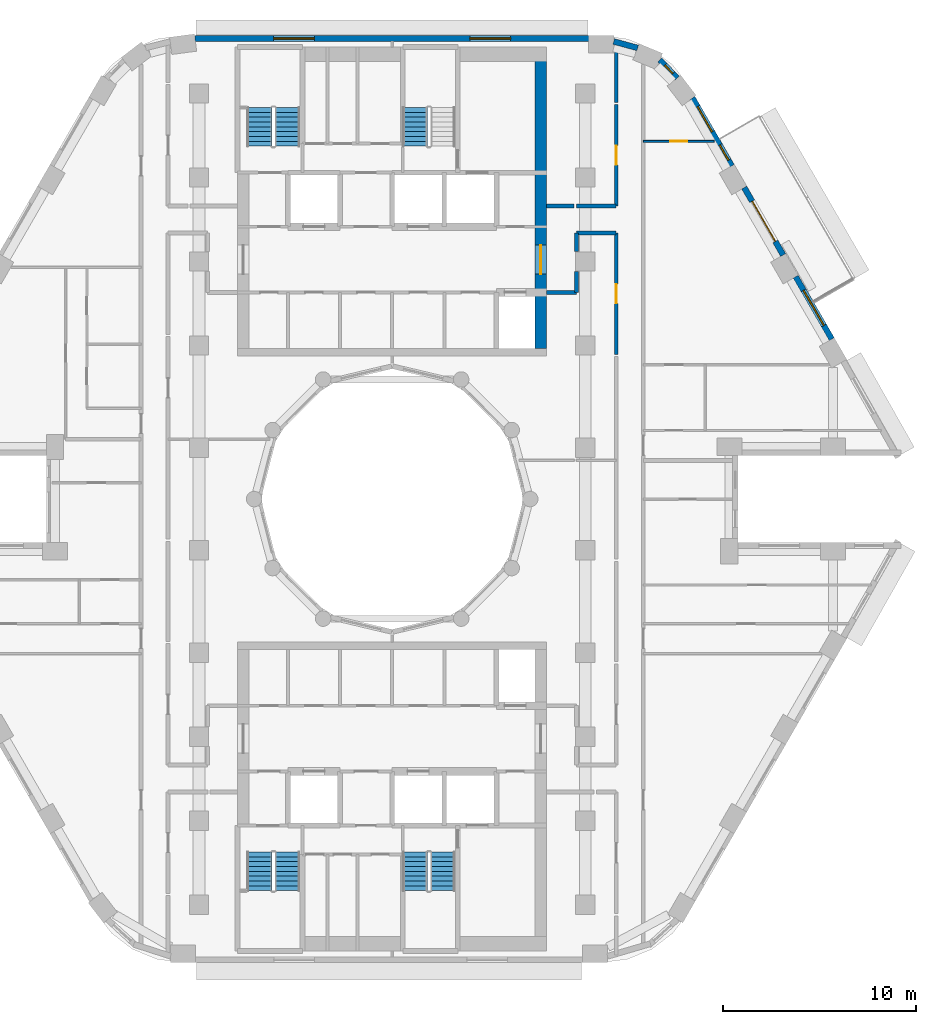
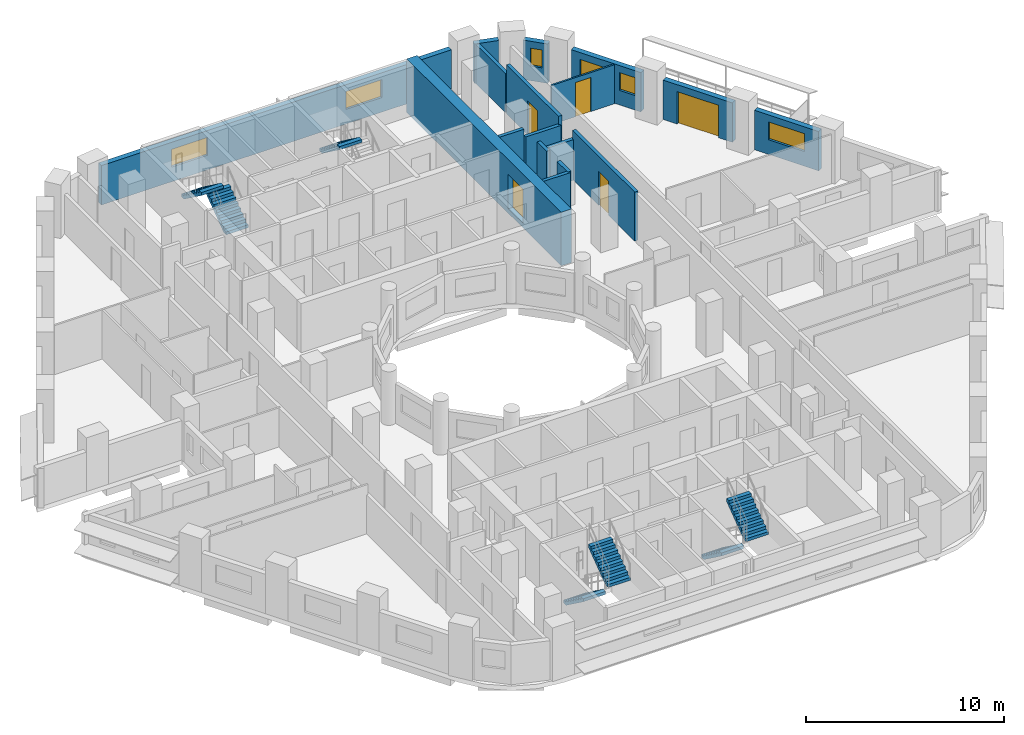
# One storey, part 9 of 14: 17 walls, 7 stair flights, 6 windows, 5 doors, 11 openings, 4 elements without a shape of their own.
"""IFC4 building model written with IfcOpenShell, lengths in metres."""

import ifcopenshell
import ifcopenshell.guid

model = None  # the IFC model being written
_history = None  # IfcOwnerHistory: only IFC2X3 demands one
_inside = {}  # id of a spatial element -> (the spatial element, [elements in it])
_under = {}  # id of a project, library or spatial element -> (it, [spatial elements below it])
_declared = {}  # id of a project -> (the project, [libraries it declares])
_typed = {}  # id of a type object -> (the type object, [elements of that type])
_made_of = {}  # id of a material, layer set ... -> (it, [elements and type objects made of it])


def new_model(schema):
    """Start an empty IFC model of exactly this schema.

    Asked for "IFC4X3", IfcOpenShell would pick the latest addendum, in which some entities
    have other attributes; the version numbers below select the first issue.
    IFC2X3 requires an IfcOwnerHistory on every rooted entity: one is made here for all.
    """
    global model, _history
    if schema == "IFC4X3":
        model = ifcopenshell.file(schema_version=(4, 3, 0, 0))
    else:
        model = ifcopenshell.file(schema=schema)
    _inside.clear()
    _under.clear()
    _declared.clear()
    _typed.clear()
    _made_of.clear()
    _history = None
    if model.schema == "IFC2X3":
        org = make("IfcOrganization", Name="unknown")
        user = make(
            "IfcPersonAndOrganization",
            ThePerson=make("IfcPerson", FamilyName="unknown"),
            TheOrganization=org,
        )
        app = make(
            "IfcApplication",
            ApplicationDeveloper=org,
            Version="unknown",
            ApplicationFullName="unknown",
            ApplicationIdentifier="unknown",
        )
        _history = make(
            "IfcOwnerHistory",
            OwningUser=user,
            OwningApplication=app,
            ChangeAction="ADDED",
            CreationDate=0,
        )
    return model


def make(cls, **values):
    """One entity of the class cls with the attributes given. An attribute that is None is left unset."""
    return model.create_entity(
        cls, **{name: value for name, value in values.items() if value is not None}
    )


def rooted(cls, **values):
    """An entity with a GlobalId (a new one), such as an element, a storey or a relation."""
    return make(cls, GlobalId=ifcopenshell.guid.new(), OwnerHistory=_history, **values)


def si_unit(unit_type, name, prefix=None):
    """IfcSIUnit, for example si_unit("LENGTHUNIT", "METRE", prefix="MILLI")."""
    return make("IfcSIUnit", UnitType=unit_type, Prefix=prefix, Name=name)


def assignment(units):
    """IfcUnitAssignment: the units of a project."""
    return None if units is None else make("IfcUnitAssignment", Units=units)


def point(xyz):
    """IfcCartesianPoint."""
    return None if xyz is None else make("IfcCartesianPoint", Coordinates=xyz)


def direction(xyz):
    """IfcDirection."""
    return None if xyz is None else make("IfcDirection", DirectionRatios=xyz)


def frame(location, z_axis=None, x_axis=None):
    """IfcAxis2Placement3D, a coordinate frame: its origin and axes. An axis left out is left unset."""
    return make(
        "IfcAxis2Placement3D",
        Location=point(location),
        Axis=direction(z_axis),
        RefDirection=direction(x_axis),
    )


def frame_2d(location, x_axis=None):
    """IfcAxis2Placement2D, a coordinate frame in the plane: its origin and x axis."""
    return make(
        "IfcAxis2Placement2D", Location=point(location), RefDirection=direction(x_axis)
    )


def origin():
    """The frame at (0, 0, 0) with its axes left unset."""
    return frame((0.0, 0.0, 0.0))


def place(relative_to, where):
    """IfcLocalPlacement: puts the frame where relative to a parent placement (None: the world)."""
    return make(
        "IfcLocalPlacement", PlacementRelTo=relative_to, RelativePlacement=where
    )


def context(
    kind, dimensions, precision=None, world=None, true_north=None, identifier=None
):
    """IfcGeometricRepresentationContext, for example the 3D "Model" context."""
    return make(
        "IfcGeometricRepresentationContext",
        ContextIdentifier=identifier,
        ContextType=kind,
        CoordinateSpaceDimension=dimensions,
        Precision=precision,
        WorldCoordinateSystem=world,
        TrueNorth=true_north,
    )


def subcontext(parent, identifier, kind, view, scale=None):
    """IfcGeometricRepresentationSubContext, for example "Body" below "Model"."""
    return make(
        "IfcGeometricRepresentationSubContext",
        ContextIdentifier=identifier,
        ContextType=kind,
        ParentContext=parent,
        TargetScale=scale,
        TargetView=view,
    )


def project(units=None, contexts=None):
    """IfcProject with its units and contexts."""
    return rooted(
        "IfcProject",
        Name="project",
        RepresentationContexts=contexts,
        UnitsInContext=assignment(units),
    )


def spatial(cls, under=None, at=None, **own):
    """A site, building, storey or space (cls), placed at a placement, below another one or the project."""
    s = rooted(cls, ObjectPlacement=at, **own)
    if under is not None:
        _under.setdefault(under.id(), (under, []))[1].append(s)
    return s


def polyline(points):
    """IfcPolyline through the points."""
    return make("IfcPolyline", Points=[point(p) for p in points])


def profile(cls, at=None, kind="AREA", **sizes):
    """A parametric profile (cls). Its sizes go by their IFC names, for example OverallWidth=200.0."""
    return make(cls, ProfileType=kind, Position=at, **sizes)


def rectangle(**sizes):
    """IfcRectangleProfileDef."""
    return profile("IfcRectangleProfileDef", **sizes)


def outline(outer, holes=None, kind="AREA"):
    """IfcArbitraryClosedProfileDef: a profile drawn as a closed curve; with holes, ...WithVoids."""
    if holes is None:
        return make("IfcArbitraryClosedProfileDef", ProfileType=kind, OuterCurve=outer)
    return make(
        "IfcArbitraryProfileDefWithVoids",
        ProfileType=kind,
        OuterCurve=outer,
        InnerCurves=holes,
    )


def extrude(swept, where, along, depth):
    """IfcExtrudedAreaSolid: the profile swept, set in the frame where, extruded along a direction by depth."""
    return make(
        "IfcExtrudedAreaSolid",
        SweptArea=swept,
        Position=where,
        ExtrudedDirection=direction(along),
        Depth=depth,
    )


def shape(context_of_items, identifier, shape_type, items):
    """IfcShapeRepresentation: the items that make up one representation, for example the "Body"."""
    return make(
        "IfcShapeRepresentation",
        ContextOfItems=context_of_items,
        RepresentationIdentifier=identifier,
        RepresentationType=shape_type,
        Items=items,
    )


def material(Name=None, Category=None):
    """IfcMaterial."""
    return make("IfcMaterial", Name=Name, Category=Category)


def layer(
    of_material, thickness, ventilated=None, Name=None, Category=None, Priority=None
):
    """IfcMaterialLayer: one layer of a wall or slab, of a material (None: an air gap)."""
    return make(
        "IfcMaterialLayer",
        Material=of_material,
        LayerThickness=thickness,
        IsVentilated=ventilated,
        Name=Name,
        Category=Category,
        Priority=Priority,
    )


def layer_set(layers, Name=None):
    """IfcMaterialLayerSet."""
    return make("IfcMaterialLayerSet", MaterialLayers=layers, LayerSetName=Name)


def made_of(thing, what):
    """Note that an element or type object is made of a material, layer set ...; save() writes the relation."""
    if what is not None:
        _made_of.setdefault(what.id(), (what, []))[1].append(thing)
    return thing


def type_object(cls, material=None, **own):
    """A type object (cls), such as IfcWallType, which elements share."""
    return made_of(rooted(cls, **own), material)


def element(
    cls,
    number,
    at=None,
    inside=None,
    cuts=None,
    type_object=None,
    material=None,
    context=None,
    identifier="Body",
    shape_type=None,
    held_by="IfcProductDefinitionShape",
    body=None,
    shapes=None,
    **own,
):
    """One element of the class cls, such as IfcWall. Its Tag is "e" and its number.

    at: its placement. inside: the storey or other place that contains it. cuts: it is an
    opening in that element (IfcRelVoidsElement). A single representation is given by context,
    identifier, shape_type and body (its items); several are given by shapes. held_by: the class
    of the entity that holds the representations. save() writes the other relations.
    """
    e = rooted(cls, Tag="e%d" % number, ObjectPlacement=at, **own)
    if body is not None:
        shapes = [shape(context, identifier, shape_type, body)]
    if shapes is not None:
        e.Representation = make(held_by, Representations=shapes)
    if inside is not None:
        _inside.setdefault(inside.id(), (inside, []))[1].append(e)
    if cuts is not None:
        rooted(
            "IfcRelVoidsElement", RelatingBuildingElement=cuts, RelatedOpeningElement=e
        )
    if type_object is not None:
        _typed.setdefault(type_object.id(), (type_object, []))[1].append(e)
    return made_of(e, material)


def fill(opening, filler):
    """IfcRelFillsElement: the door or window that sits in an opening."""
    return rooted(
        "IfcRelFillsElement",
        RelatingOpeningElement=opening,
        RelatedBuildingElement=filler,
    )


def aggregate(whole, parts):
    """IfcRelAggregates: a whole, such as a stair, and the parts it consists of."""
    return rooted("IfcRelAggregates", RelatingObject=whole, RelatedObjects=parts)


def save(model, path):
    """Write the relations noted so far, then the file.

    IfcRelAggregates (storeys below a building ...), IfcRelContainedInSpatialStructure (elements
    in a storey), IfcRelDefinesByType, IfcRelAssociatesMaterial and IfcRelDeclares: one each for
    every whole, place, type object, material and project.
    """
    for whole, parts in _under.values():
        aggregate(whole, parts)
    for where, things in _inside.values():
        rooted(
            "IfcRelContainedInSpatialStructure",
            RelatedElements=things,
            RelatingStructure=where,
        )
    for kind, things in _typed.values():
        rooted("IfcRelDefinesByType", RelatedObjects=things, RelatingType=kind)
    for what, things in _made_of.values():
        rooted("IfcRelAssociatesMaterial", RelatedObjects=things, RelatingMaterial=what)
    for by, libraries in _declared.values():
        rooted("IfcRelDeclares", RelatingContext=by, RelatedDefinitions=libraries)
    model.write(path)


model = new_model("IFC4")

# Units and contexts
model_context = context("Model", 3, precision=1e-05, world=origin(), true_north=direction((0.0, 1.0)))
body_context = subcontext(model_context, "Body", "Model", "MODEL_VIEW")
ifc_project = project(units=[si_unit("LENGTHUNIT", "METRE"), si_unit("AREAUNIT", "SQUARE_METRE"), si_unit("VOLUMEUNIT", "CUBIC_METRE"), si_unit("PLANEANGLEUNIT", "RADIAN"), si_unit("MASSUNIT", "GRAM", prefix="KILO")], contexts=[model_context])

# Site, building, storey
site_placement = place(None, origin())
site = spatial("IfcSite", under=ifc_project, at=site_placement, CompositionType="ELEMENT")
building_placement = place(site_placement, origin())
building = spatial("IfcBuilding", under=site, at=building_placement, Name="Nakaniwa Court", CompositionType="ELEMENT")
storey_placement = place(building_placement, frame((0.0, 0.0, 160.199951171875)))
storey = spatial("IfcBuildingStorey", under=building, at=storey_placement, Name="L42", CompositionType="ELEMENT", Elevation=160.199951171875)

# Wall, opening, door
ifc_material_1 = material(Name="Acoustic double stud partition")
ifc_layer_1 = layer(ifc_material_1, 0.199951171875)
ifc_layer_set_1 = layer_set([ifc_layer_1], Name="Acoustic double stud partition")
wall_type_1 = type_object("IfcWallType", Name="Acoustic double stud partition 200", PredefinedType="PARTITIONING", material=ifc_layer_set_1)
wall_1_placement = place(storey_placement, frame((91.60009765625, 87.4873046875, 0.0), z_axis=(0.0, 0.0, 1.0), x_axis=(0.0, 1.0, 0.0)))
wall_1 = element("IfcWall", 1, at=wall_1_placement, inside=storey, type_object=wall_type_1, Name="Partition PW-078", PredefinedType="PARTITIONING", context=body_context, shape_type="SweptSolid", body=[
    extrude(rectangle(XDim=6.28759765625, YDim=0.199951171875, at=frame_2d((3.143798828125, 0.0))), origin(), (0.0, 0.0, 1.0), 3.025146484375),
])
opening_1_placement = place(wall_1_placement, frame((2.64501953125, 0.0, 0.0)))
opening_1 = element("IfcOpeningElement", 2, at=opening_1_placement, cuts=wall_1, Name="Opening D-02-08", PredefinedType="OPENING", context=body_context, shape_type="SweptSolid", body=[
    extrude(rectangle(XDim=1.0, YDim=2.10009765625, at=frame_2d((0.5, 1.050048828125))), frame((0.0, 0.10986328125, 0.0), z_axis=(0.0, -1.0, 0.0), x_axis=(1.0, 0.0, 0.0)), (0.0, 0.0, 1.0), 0.219970703125),
])
ifc_material_2 = material(Name="Solid core timber door set, black veneer", Category="wood")
door_type_1 = type_object("IfcDoorType", Name="Internal door 1000", OperationType="NOTDEFINED", PredefinedType="DOOR", material=ifc_material_2)
door_1_placement = place(opening_1_placement, origin())
door_1 = element("IfcDoor", 3, at=door_1_placement, inside=storey, type_object=door_type_1, Name="Door D-02-08 L42-054", OperationType="SINGLE_SWING_LEFT", OverallHeight=2.10009765625, OverallWidth=1.0, PredefinedType="DOOR", context=body_context, shape_type="SweptSolid", body=[
    extrude(rectangle(XDim=1.0, YDim=2.10009765625, at=frame_2d((0.5, 1.050048828125))), frame((0.0, 0.02490234375, 0.0), z_axis=(0.0, -1.0, 0.0), x_axis=(1.0, 0.0, 0.0)), (0.0, 0.0, 1.0), 0.050048828125),
])
fill(opening_1, door_1)

wall_2_placement = place(storey_placement, frame((91.60009765625, 95.175048828125, 0.0), z_axis=(0.0, 0.0, 1.0), x_axis=(0.0, 1.0, 0.0)))
wall_2 = element("IfcWall", 4, at=wall_2_placement, inside=storey, type_object=wall_type_1, Name="Partition PW-079", PredefinedType="PARTITIONING", context=body_context, shape_type="SweptSolid", body=[
    extrude(rectangle(XDim=5.247802734375, YDim=0.199951171875, at=frame_2d((2.6240234375, 0.0))), origin(), (0.0, 0.0, 1.0), 3.025146484375),
])
opening_2_placement = place(wall_2_placement, frame((2.123046875, 0.0, 0.0)))
opening_2 = element("IfcOpeningElement", 5, at=opening_2_placement, cuts=wall_2, Name="Opening D-02-09", PredefinedType="OPENING", context=body_context, shape_type="SweptSolid", body=[
    extrude(rectangle(XDim=1.0, YDim=2.10009765625, at=frame_2d((0.5, 1.050048828125))), frame((0.0, 0.10986328125, 0.0), z_axis=(0.0, -1.0, 0.0), x_axis=(1.0, 0.0, 0.0)), (0.0, 0.0, 1.0), 0.219970703125),
])
door_2_placement = place(opening_2_placement, origin())
door_2 = element("IfcDoor", 6, at=door_2_placement, inside=storey, type_object=door_type_1, Name="Door D-02-09 L42-055", OperationType="SINGLE_SWING_RIGHT", OverallHeight=2.10009765625, OverallWidth=1.0, PredefinedType="DOOR", context=body_context, shape_type="SweptSolid", body=[
    extrude(rectangle(XDim=1.0, YDim=2.10009765625, at=frame_2d((0.5, 1.050048828125))), frame((0.0, 0.02490234375, 0.0), z_axis=(0.0, -1.0, 0.0), x_axis=(1.0, 0.0, 0.0)), (0.0, 0.0, 1.0), 0.050048828125),
])
fill(opening_2, door_2)

# Walls
wall_3_placement = place(storey_placement, frame((91.60009765625, 100.537109375, 0.0), z_axis=(0.0, 0.0, 1.0), x_axis=(0.0, 1.0, 0.0)))
element("IfcWall", 7, at=wall_3_placement, inside=storey, type_object=wall_type_1, Name="Partition PW-080", PredefinedType="PARTITIONING", context=body_context, shape_type="SweptSolid", body=[
    extrude(rectangle(XDim=3.06201171875, YDim=0.199951171875, at=frame_2d((1.531005859375, 0.0))), origin(), (0.0, 0.0, 1.0), 2.405029296875),
])
wall_4_placement = place(storey_placement, frame((89.550048828125, 90.699951171875, 0.0), z_axis=(0.0, 0.0, 1.0), x_axis=(0.0, 1.0, 0.0)))
element("IfcWall", 8, at=wall_4_placement, inside=storey, type_object=wall_type_1, Name="Partition PW-090", PredefinedType="PARTITIONING", context=body_context, shape_type="SweptSolid", body=[
    extrude(rectangle(XDim=1.082763671875, YDim=0.199951171875, at=frame_2d((0.54150390625, 0.0))), origin(), (0.0, 0.0, 1.0), 3.025146484375),
])
wall_5_placement = place(storey_placement, frame((89.550048828125, 92.817138671875, 0.0), z_axis=(0.0, 0.0, 1.0), x_axis=(0.0, 1.0, 0.0)))
element("IfcWall", 9, at=wall_5_placement, inside=storey, type_object=wall_type_1, Name="Partition PW-091", PredefinedType="PARTITIONING", context=body_context, shape_type="SweptSolid", body=[
    extrude(rectangle(XDim=0.957763671875, YDim=0.199951171875, at=frame_2d((0.47900390625, 0.0))), origin(), (0.0, 0.0, 1.0), 3.025146484375),
])
wall_6_placement = place(storey_placement, frame((89.550048828125, 93.77490234375, 0.0), z_axis=(0.0, 0.0, 1.0), x_axis=(1.0, 0.0, 0.0)))
element("IfcWall", 10, at=wall_6_placement, inside=storey, type_object=wall_type_1, Name="Partition PW-095", PredefinedType="PARTITIONING", context=body_context, shape_type="SweptSolid", body=[
    extrude(rectangle(XDim=2.050048828125, YDim=0.199951171875, at=frame_2d((1.02490234375, 0.0))), origin(), (0.0, 0.0, 1.0), 2.505126953125),
])
wall_7_placement = place(storey_placement, frame((88.0, 90.699951171875, 0.0), z_axis=(0.0, 0.0, 1.0), x_axis=(1.0, 0.0, 0.0)))
element("IfcWall", 11, at=wall_7_placement, inside=storey, type_object=wall_type_1, Name="Partition PW-097", PredefinedType="PARTITIONING", context=body_context, shape_type="SweptSolid", body=[
    extrude(rectangle(XDim=1.550048828125, YDim=0.199951171875, at=frame_2d((0.77490234375, 0.0))), origin(), (0.0, 0.0, 1.0), 3.025146484375),
])
wall_8_placement = place(storey_placement, frame((88.0, 95.175048828125, 0.0), z_axis=(0.0, 0.0, 1.0), x_axis=(1.0, 0.0, 0.0)))
element("IfcWall", 12, at=wall_8_placement, inside=storey, type_object=wall_type_1, Name="Partition PW-100", PredefinedType="PARTITIONING", context=body_context, shape_type="SweptSolid", body=[
    extrude(rectangle(XDim=1.4228515625, YDim=0.199951171875, at=frame_2d((0.71142578125, 0.0))), origin(), (0.0, 0.0, 1.0), 3.025146484375),
])
wall_9_placement = place(storey_placement, frame((89.537109375, 95.175048828125, 0.0), z_axis=(0.0, 0.0, 1.0), x_axis=(1.0, 0.0, 0.0)))
element("IfcWall", 13, at=wall_9_placement, inside=storey, type_object=wall_type_1, Name="Partition PW-101", PredefinedType="PARTITIONING", context=body_context, shape_type="SweptSolid", body=[
    extrude(rectangle(XDim=2.06298828125, YDim=0.199951171875, at=frame_2d((1.031494140625, 0.0))), origin(), (0.0, 0.0, 1.0), 2.505126953125),
])

# Wall, opening, window
ifc_material_3 = material(Name="Charcoal ceramic cladding")
ifc_layer_2 = layer(ifc_material_3, 0.02, Name="Ceramic cladding")
ifc_material_4 = material(Name="Ventilated air cavity")
ifc_layer_3 = layer(ifc_material_4, 0.04, ventilated=True, Name="Ventilated cavity")
ifc_material_5 = material(Name="Mineral wool insulation")
ifc_layer_4 = layer(ifc_material_5, 0.1, Name="Insulation")
ifc_material_6 = material(Name="Cement bonded sheathing board")
ifc_layer_5 = layer(ifc_material_6, 0.012, Name="Sheathing")
ifc_material_7 = material(Name="Cold-formed galvanised stud frame with mineral wool infill")
ifc_layer_6 = layer(ifc_material_7, 0.1, Name="Stud frame")
ifc_material_8 = material(Name="Fire-rated gypsum plasterboard lining")
ifc_layer_7 = layer(ifc_material_8, 0.028, Name="Lining")
ifc_layer_set_2 = layer_set([ifc_layer_2, ifc_layer_3, ifc_layer_4, ifc_layer_5, ifc_layer_6, ifc_layer_7], Name="Charcoal ceramic faced external wall system")
wall_type_2 = type_object("IfcWallType", Name="Black ceramic faced external wall 300", PredefinedType="SOLIDWALL", material=ifc_layer_set_2)
wall_10_placement = place(storey_placement, frame((102.759521484375, 88.279052734375, 0.0), z_axis=(0.0, 0.0, 1.0), x_axis=(-0.499933594891, 0.866063739398, 0.0)))
wall_10 = element("IfcWall", 14, at=wall_10_placement, inside=storey, type_object=wall_type_2, Name="L42 external wall 03", PredefinedType="SOLIDWALL", context=body_context, shape_type="SweptSolid", body=[
    extrude(rectangle(XDim=3.73681640625, YDim=0.300048828125, at=frame_2d((1.868408203125, 0.0))), origin(), (0.0, 0.0, 1.0), 2.425048828125),
])
opening_3_placement = place(wall_10_placement, frame((0.818359375, 0.0, 0.89990234375)))
opening_3 = element("IfcOpeningElement", 15, at=opening_3_placement, cuts=wall_10, Name="Opening W7.02", PredefinedType="OPENING", context=body_context, shape_type="SweptSolid", body=[
    extrude(rectangle(XDim=2.10009765625, YDim=1.10009765625, at=frame_2d((1.050048828125, 0.550048828125))), frame((0.0, 0.159912109375, 0.0), z_axis=(0.0, -1.0, 0.0), x_axis=(1.0, 0.0, 0.0)), (0.0, 0.0, 1.0), 0.320068359375),
])
ifc_material_9 = material(Name="Black anodised aluminium frame with dark low-E laminated double glazing", Category="aluminium")
window_type_1 = type_object("IfcWindowType", Name="Dark glass window 2100x1100 sill 900", PartitioningType="SINGLE_PANEL", PredefinedType="WINDOW", material=ifc_material_9)
window_1_placement = place(opening_3_placement, origin())
window_1 = element("IfcWindow", 16, at=window_1_placement, inside=storey, type_object=window_type_1, Name="L42 living window 03-0", OverallHeight=1.10009765625, OverallWidth=2.10009765625, PartitioningType="SINGLE_PANEL", PredefinedType="WINDOW", context=body_context, shape_type="SweptSolid", body=[
    extrude(rectangle(XDim=2.10009765625, YDim=1.10009765625, at=frame_2d((1.050048828125, 0.550048828125))), frame((0.0, 0.030029296875, 0.0), z_axis=(0.0, -1.0, 0.0), x_axis=(1.0, 0.0, 0.0)), (0.0, 0.0, 1.0), 0.06005859375),
])
fill(opening_3, window_1)

# Wall, opening, door
wall_11_placement = place(storey_placement, frame((100.245361328125, 92.63427734375, 0.0), z_axis=(0.0, 0.0, 1.0), x_axis=(-0.500031546601, 0.86600718958, 0.0)))
wall_11 = element("IfcWall", 17, at=wall_11_placement, inside=storey, type_object=wall_type_2, Name="L42 external wall 04", PredefinedType="SOLIDWALL", context=body_context, shape_type="SweptSolid", body=[
    extrude(rectangle(XDim=4.033935546875, YDim=0.300048828125, at=frame_2d((2.01708984375, 0.0))), origin(), (0.0, 0.0, 1.0), 2.425048828125),
])
opening_4_placement = place(wall_11_placement, frame((0.81689453125, 0.0, 0.0)))
opening_4 = element("IfcOpeningElement", 18, at=opening_4_placement, cuts=wall_11, Name="Opening XD13.01", PredefinedType="OPENING", context=body_context, shape_type="SweptSolid", body=[
    extrude(rectangle(XDim=2.39990234375, YDim=2.0, at=frame_2d((1.199951171875, 1.0))), frame((0.0, 0.159912109375, 0.0), z_axis=(0.0, -1.0, 0.0), x_axis=(1.0, 0.0, 0.0)), (0.0, 0.0, 1.0), 0.320068359375),
])
ifc_material_10 = material(Name="Black powder-coated aluminium frame with dark laminated glass", Category="aluminium")
door_type_2 = type_object("IfcDoorType", Name="Balcony sliding door 2400x2000", OperationType="DOUBLE_DOOR_SLIDING", PredefinedType="DOOR", material=ifc_material_10)
door_3_placement = place(opening_4_placement, origin())
door_3 = element("IfcDoor", 19, at=door_3_placement, inside=storey, type_object=door_type_2, Name="L42 balcony sliding door 01", OperationType="DOUBLE_DOOR_SLIDING", OverallHeight=2.0, OverallWidth=2.39990234375, PredefinedType="DOOR", context=body_context, shape_type="SweptSolid", body=[
    extrude(rectangle(XDim=2.39990234375, YDim=2.0, at=frame_2d((1.199951171875, 1.0))), frame((0.0, 0.02490234375, 0.0), z_axis=(0.0, -1.0, 0.0), x_axis=(1.0, 0.0, 0.0)), (0.0, 0.0, 1.0), 0.050048828125),
])
fill(opening_4, door_3)

# Wall, openings, windows
wall_12_placement = place(storey_placement, frame((97.582275390625, 97.24658203125, 0.0), z_axis=(0.0, 0.0, 1.0), x_axis=(-0.500018589245, 0.866014671013, 0.0)))
wall_12 = element("IfcWall", 20, at=wall_12_placement, inside=storey, type_object=wall_type_2, Name="L42 external wall 05", PredefinedType="SOLIDWALL", context=body_context, shape_type="SweptSolid", body=[
    extrude(rectangle(XDim=4.067626953125, YDim=0.300048828125, at=frame_2d((2.03369140625, 0.0))), origin(), (0.0, 0.0, 1.0), 2.425048828125),
])
opening_5_placement = place(wall_12_placement, frame((0.346435546875, 0.0, 0.89990234375)))
opening_5 = element("IfcOpeningElement", 21, at=opening_5_placement, cuts=wall_12, Name="Opening W9.03", PredefinedType="OPENING", context=body_context, shape_type="SweptSolid", body=[
    extrude(rectangle(XDim=0.89990234375, YDim=1.10009765625, at=frame_2d((0.449951171875, 0.550048828125))), frame((0.0, 0.159912109375, 0.0), z_axis=(0.0, -1.0, 0.0), x_axis=(1.0, 0.0, 0.0)), (0.0, 0.0, 1.0), 0.320068359375),
])
opening_6_placement = place(wall_12_placement, frame((2.045166015625, 0.0, 0.89990234375)))
opening_6 = element("IfcOpeningElement", 22, at=opening_6_placement, cuts=wall_12, Name="Opening W5.04", PredefinedType="OPENING", context=body_context, shape_type="SweptSolid", body=[
    extrude(rectangle(XDim=1.5, YDim=1.10009765625, at=frame_2d((0.75, 0.550048828125))), frame((0.0, 0.159912109375, 0.0), z_axis=(0.0, -1.0, 0.0), x_axis=(1.0, 0.0, 0.0)), (0.0, 0.0, 1.0), 0.320068359375),
])
window_type_2 = type_object("IfcWindowType", Name="Dark glass window 1500x1100 sill 900", PartitioningType="SINGLE_PANEL", PredefinedType="WINDOW", material=ifc_material_9)
window_2_placement = place(opening_6_placement, origin())
window_2 = element("IfcWindow", 23, at=window_2_placement, inside=storey, type_object=window_type_2, Name="L42 habitable room window 05-1", OverallHeight=1.10009765625, OverallWidth=1.5, PartitioningType="SINGLE_PANEL", PredefinedType="WINDOW", context=body_context, shape_type="SweptSolid", body=[
    extrude(rectangle(XDim=1.5, YDim=1.10009765625, at=frame_2d((0.75, 0.550048828125))), frame((0.0, 0.030029296875, 0.0), z_axis=(0.0, -1.0, 0.0), x_axis=(1.0, 0.0, 0.0)), (0.0, 0.0, 1.0), 0.06005859375),
])
fill(opening_6, window_2)
window_type_3 = type_object("IfcWindowType", Name="Dark glass window 900x1100 sill 900", PartitioningType="SINGLE_PANEL", PredefinedType="WINDOW", material=ifc_material_9)
window_3_placement = place(opening_5_placement, origin())
window_3 = element("IfcWindow", 24, at=window_3_placement, inside=storey, type_object=window_type_3, Name="L42 living window 05-0", OverallHeight=1.10009765625, OverallWidth=0.89990234375, PartitioningType="SINGLE_PANEL", PredefinedType="WINDOW", context=body_context, shape_type="SweptSolid", body=[
    extrude(rectangle(XDim=0.89990234375, YDim=1.10009765625, at=frame_2d((0.449951171875, 0.550048828125))), frame((0.0, 0.030029296875, 0.0), z_axis=(0.0, -1.0, 0.0), x_axis=(1.0, 0.0, 0.0)), (0.0, 0.0, 1.0), 0.06005859375),
])
fill(opening_5, window_3)

# Wall, opening, window
wall_13_placement = place(storey_placement, frame((94.76318359375, 101.79541015625, 0.0), z_axis=(0.0, 0.0, 1.0), x_axis=(-0.697598997785, 0.716488407645, 0.0)))
wall_13 = element("IfcWall", 25, at=wall_13_placement, inside=storey, type_object=wall_type_2, Name="L42 external wall 06", PredefinedType="SOLIDWALL", context=body_context, shape_type="SweptSolid", body=[
    extrude(rectangle(XDim=1.305419921875, YDim=0.300048828125, at=frame_2d((0.65283203125, 0.0))), origin(), (0.0, 0.0, 1.0), 2.425048828125),
])
opening_7_placement = place(wall_13_placement, frame((0.328369140625, 0.0, 0.89990234375)))
opening_7 = element("IfcOpeningElement", 26, at=opening_7_placement, cuts=wall_13, Name="Opening W8.05", PredefinedType="OPENING", context=body_context, shape_type="SweptSolid", body=[
    extrude(rectangle(XDim=0.60009765625, YDim=1.10009765625, at=frame_2d((0.300048828125, 0.550048828125))), frame((0.0, 0.159912109375, 0.0), z_axis=(0.0, -1.0, 0.0), x_axis=(1.0, 0.0, 0.0)), (0.0, 0.0, 1.0), 0.320068359375),
])
window_type_4 = type_object("IfcWindowType", Name="Dark glass window 600x1100 sill 900", PartitioningType="SINGLE_PANEL", PredefinedType="WINDOW", material=ifc_material_9)
window_4_placement = place(opening_7_placement, origin())
window_4 = element("IfcWindow", 27, at=window_4_placement, inside=storey, type_object=window_type_4, Name="L42 habitable room window 06-0", OverallHeight=1.10009765625, OverallWidth=0.60009765625, PartitioningType="SINGLE_PANEL", PredefinedType="WINDOW", context=body_context, shape_type="SweptSolid", body=[
    extrude(rectangle(XDim=0.60009765625, YDim=1.10009765625, at=frame_2d((0.300048828125, 0.550048828125))), frame((0.0, 0.030029296875, 0.0), z_axis=(0.0, -1.0, 0.0), x_axis=(1.0, 0.0, 0.0)), (0.0, 0.0, 1.0), 0.06005859375),
])
fill(opening_7, window_4)

# Wall
wall_14_placement = place(storey_placement, frame((92.712890625, 103.3564453125, 0.0), z_axis=(0.0, 0.0, 1.0), x_axis=(-0.965274225809, 0.26123872031, 0.0)))
element("IfcWall", 28, at=wall_14_placement, inside=storey, type_object=wall_type_2, Name="L42 external wall 07", PredefinedType="SOLIDWALL", context=body_context, shape_type="SweptSolid", body=[
    extrude(rectangle(XDim=1.286865234375, YDim=0.300048828125, at=frame_2d((0.6435546875, 0.0))), origin(), (0.0, 0.0, 1.0), 2.425048828125),
])

# Wall, openings, windows
wall_15_placement = place(storey_placement, frame((90.1787109375, 103.85009765625, 0.0), z_axis=(0.0, 0.0, 1.0), x_axis=(-1.0, 0.0, 0.0)))
wall_15 = element("IfcWall", 29, at=wall_15_placement, inside=storey, type_object=wall_type_2, Name="L42 external wall 08", PredefinedType="SOLIDWALL", context=body_context, shape_type="SweptSolid", body=[
    extrude(rectangle(XDim=20.391357421875, YDim=0.300048828125, at=frame_2d((10.19580078125, 0.0))), origin(), (0.0, 0.0, 1.0), 2.425048828125),
])
opening_8_placement = place(wall_15_placement, frame((4.05126953125, 0.0, 0.89990234375)))
opening_8 = element("IfcOpeningElement", 30, at=opening_8_placement, cuts=wall_15, Name="Opening W7.06", PredefinedType="OPENING", context=body_context, shape_type="SweptSolid", body=[
    extrude(rectangle(XDim=2.10009765625, YDim=1.10009765625, at=frame_2d((1.050048828125, 0.550048828125))), frame((0.0, 0.159912109375, 0.0), z_axis=(0.0, -1.0, 0.0), x_axis=(1.0, 0.0, 0.0)), (0.0, 0.0, 1.0), 0.320068359375),
])
opening_9_placement = place(wall_15_placement, frame((14.211669921875, 0.0, 0.89990234375)))
opening_9 = element("IfcOpeningElement", 31, at=opening_9_placement, cuts=wall_15, Name="Opening W7.07", PredefinedType="OPENING", context=body_context, shape_type="SweptSolid", body=[
    extrude(rectangle(XDim=2.10009765625, YDim=1.10009765625, at=frame_2d((1.050048828125, 0.550048828125))), frame((0.0, 0.159912109375, 0.0), z_axis=(0.0, -1.0, 0.0), x_axis=(1.0, 0.0, 0.0)), (0.0, 0.0, 1.0), 0.320068359375),
])
window_5_placement = place(opening_8_placement, origin())
window_5 = element("IfcWindow", 32, at=window_5_placement, inside=storey, type_object=window_type_1, Name="L42 habitable room window 08-0", OverallHeight=1.10009765625, OverallWidth=2.10009765625, PartitioningType="SINGLE_PANEL", PredefinedType="WINDOW", context=body_context, shape_type="SweptSolid", body=[
    extrude(rectangle(XDim=2.10009765625, YDim=1.10009765625, at=frame_2d((1.050048828125, 0.550048828125))), frame((0.0, 0.030029296875, 0.0), z_axis=(0.0, -1.0, 0.0), x_axis=(1.0, 0.0, 0.0)), (0.0, 0.0, 1.0), 0.06005859375),
])
fill(opening_8, window_5)
window_6_placement = place(opening_9_placement, origin())
window_6 = element("IfcWindow", 33, at=window_6_placement, inside=storey, type_object=window_type_1, Name="L42 habitable room window 08-1", OverallHeight=1.10009765625, OverallWidth=2.10009765625, PartitioningType="SINGLE_PANEL", PredefinedType="WINDOW", context=body_context, shape_type="SweptSolid", body=[
    extrude(rectangle(XDim=2.10009765625, YDim=1.10009765625, at=frame_2d((1.050048828125, 0.550048828125))), frame((0.0, 0.030029296875, 0.0), z_axis=(0.0, -1.0, 0.0), x_axis=(1.0, 0.0, 0.0)), (0.0, 0.0, 1.0), 0.06005859375),
])
fill(opening_9, window_6)

# Wall, opening, door
ifc_material_11 = material(Name="Concrete C80/100", Category="concrete")
ifc_layer_8 = layer(ifc_material_11, 0.60009765625)
ifc_layer_set_3 = layer_set([ifc_layer_8], Name="Concrete C80/100")
wall_type_3 = type_object("IfcWallType", Name="Concrete core side wall 600 C80", PredefinedType="SHEAR", material=ifc_layer_set_3)
wall_16_placement = place(storey_placement, frame((87.699951171875, 103.39990234375, -0.27490234375), z_axis=(0.0, 0.0, 1.0), x_axis=(0.0, -1.0, 0.0)))
wall_16 = element("IfcWall", 34, at=wall_16_placement, inside=storey, type_object=wall_type_3, Name="Core wall SW-07", PredefinedType="SHEAR", context=body_context, shape_type="SweptSolid", body=[
    extrude(rectangle(XDim=15.599853515625, YDim=0.60009765625, at=frame_2d((7.7998046875, 0.0))), origin(), (0.0, 0.0, 1.0), 3.300048828125),
])
opening_10_placement = place(wall_16_placement, frame((10.248046875, 0.0, 0.27490234375)))
opening_10 = element("IfcOpeningElement", 35, at=opening_10_placement, cuts=wall_16, Name="Opening D-07-01", PredefinedType="OPENING", context=body_context, shape_type="SweptSolid", body=[
    extrude(rectangle(XDim=1.5, YDim=2.10009765625, at=frame_2d((0.75, 1.050048828125))), frame((0.0, 0.31005859375, 0.0), z_axis=(0.0, -1.0, 0.0), x_axis=(1.0, 0.0, 0.0)), (0.0, 0.0, 1.0), 0.6201171875),
])
ifc_material_12 = material(Name="Glazed fire rated steel double door set", Category="steel")
door_type_3 = type_object("IfcDoorType", Name="Lobby double door 1500", OperationType="NOTDEFINED", PredefinedType="DOOR", material=ifc_material_12)
door_4_placement = place(opening_10_placement, origin())
door_4 = element("IfcDoor", 36, at=door_4_placement, inside=storey, type_object=door_type_3, Name="Door D-07-01 L42-058", OperationType="DOUBLE_DOOR_SINGLE_SWING", OverallHeight=2.10009765625, OverallWidth=1.5, PredefinedType="DOOR", context=body_context, shape_type="SweptSolid", body=[
    extrude(rectangle(XDim=1.5, YDim=2.10009765625, at=frame_2d((0.75, 1.050048828125))), frame((0.0, 0.02490234375, 0.0), z_axis=(0.0, -1.0, 0.0), x_axis=(1.0, 0.0, 0.0)), (0.0, 0.0, 1.0), 0.050048828125),
])
fill(opening_10, door_4)

ifc_material_13 = material(Name="Single stud plasterboard partition")
ifc_layer_9 = layer(ifc_material_13, 0.10009765625)
ifc_layer_set_4 = layer_set([ifc_layer_9], Name="Single stud plasterboard partition")
wall_type_4 = type_object("IfcWallType", Name="Single stud plasterboard partition 100", PredefinedType="PARTITIONING", material=ifc_layer_set_4)
wall_17_placement = place(storey_placement, frame((93.0009765625, 98.52001953125, 0.0), z_axis=(0.0, 0.0, 1.0), x_axis=(1.0, 0.0, 0.0)))
wall_17 = element("IfcWall", 37, at=wall_17_placement, inside=storey, type_object=wall_type_4, Name="Partition PW-131", PredefinedType="PARTITIONING", context=body_context, shape_type="SweptSolid", body=[
    extrude(rectangle(XDim=3.672607421875, YDim=0.10009765625, at=frame_2d((1.83642578125, 0.0))), origin(), (0.0, 0.0, 1.0), 2.405029296875),
])
opening_11_placement = place(wall_17_placement, frame((1.385986328125, 0.0, 0.0)))
opening_11 = element("IfcOpeningElement", 38, at=opening_11_placement, cuts=wall_17, Name="Opening D-33-05", PredefinedType="OPENING", context=body_context, shape_type="SweptSolid", body=[
    extrude(rectangle(XDim=0.89990234375, YDim=2.10009765625, at=frame_2d((0.449951171875, 1.050048828125))), frame((0.0, 0.06005859375, 0.0), z_axis=(0.0, -1.0, 0.0), x_axis=(1.0, 0.0, 0.0)), (0.0, 0.0, 1.0), 0.1201171875),
])
door_type_4 = type_object("IfcDoorType", Name="Internal door 900", OperationType="NOTDEFINED", PredefinedType="DOOR", material=ifc_material_2)
door_5_placement = place(opening_11_placement, origin())
door_5 = element("IfcDoor", 39, at=door_5_placement, inside=storey, type_object=door_type_4, Name="Door D-33-05 L42-040", OperationType="SINGLE_SWING_LEFT", OverallHeight=2.10009765625, OverallWidth=0.89990234375, PredefinedType="DOOR", context=body_context, shape_type="SweptSolid", body=[
    extrude(rectangle(XDim=0.89990234375, YDim=2.10009765625, at=frame_2d((0.449951171875, 1.050048828125))), frame((0.0, 0.02490234375, 0.0), z_axis=(0.0, -1.0, 0.0), x_axis=(1.0, 0.0, 0.0)), (0.0, 0.0, 1.0), 0.050048828125),
])
fill(opening_11, door_5)

# Stair, stair flights
stair_type = type_object("IfcStairType", Name="Dog leg stair 1300 wide 18 risers", PredefinedType="HALF_TURN_STAIR", material=ifc_material_11)
stair_1_placement = place(storey_placement, origin())
stair_1 = element("IfcStair", 40, at=stair_1_placement, inside=storey, type_object=stair_type, Name="L42 Stair ST1", PredefinedType="HALF_TURN_STAIR")
stair_flight_type = type_object("IfcStairFlightType", Name="Stair flight 1300 wide 9 risers", PredefinedType="STRAIGHT", material=ifc_material_11)
stair_flight_1_placement = place(storey_placement, frame((74.574951171875, 98.27490234375, 0.0), z_axis=(0.0, 0.0, 1.0), x_axis=(0.0, 1.0, 0.0)))
stair_flight_1 = element("IfcStairFlight", 41, at=stair_flight_1_placement, type_object=stair_flight_type, Name="ST1 flight 1", NumberOfRisers=9, NumberOfTreads=8, PredefinedType="STRAIGHT", RiserHeight=0.183333333, TreadLength=0.25, context=body_context, shape_type="SweptSolid", body=[
    extrude(outline(polyline([(0.0, 0.0), (0.0, 0.026123046875), (0.0, 0.052490234375), (0.0, 0.07861328125), (0.0, 0.104736328125), (0.0, 0.130859375), (0.0, 0.1572265625), (0.0, 0.183349609375), (0.25, 0.183349609375), (0.25, 0.36669921875), (0.5, 0.36669921875), (0.5, 0.550048828125), (0.75, 0.550048828125), (0.75, 0.7333984375), (1.0, 0.7333984375), (1.0, 0.916748046875), (1.25, 0.916748046875), (1.25, 1.10009765625), (1.5, 1.10009765625), (1.5, 1.283447265625), (1.75, 1.283447265625), (1.75, 1.466552734375), (2.0, 1.466552734375), (2.0, 1.64990234375), (2.0, 1.59716796875), (2.0, 1.54443359375), (2.0, 1.49169921875), (2.0, 1.43896484375), (2.0, 1.38623046875), (2.0, 1.33349609375), (2.0, 1.28076171875), (0.25341796875, 0.0), (0.0, 0.0)])), frame((0.0, 0.64990234375, 0.0), z_axis=(0.0, -1.0, 0.0), x_axis=(1.0, 0.0, 0.0)), (0.0, 0.0, 1.0), 1.300048828125),
])
stair_flight_2_placement = place(storey_placement, frame((73.125, 100.27490234375, 1.650146484375), z_axis=(0.0, 0.0, 1.0), x_axis=(0.0, -1.0, 0.0)))
stair_flight_2 = element("IfcStairFlight", 42, at=stair_flight_2_placement, type_object=stair_flight_type, Name="ST1 flight 2", NumberOfRisers=9, NumberOfTreads=8, PredefinedType="STRAIGHT", RiserHeight=0.183333333, TreadLength=0.25, context=body_context, shape_type="SweptSolid", body=[
    extrude(outline(polyline([(0.0, 0.0), (0.0, 0.026123046875), (0.0, 0.052490234375), (0.0, 0.07861328125), (0.0, 0.104736328125), (0.0, 0.130859375), (0.0, 0.1572265625), (0.0, 0.183349609375), (0.25, 0.183349609375), (0.25, 0.36669921875), (0.5, 0.36669921875), (0.5, 0.550048828125), (0.75, 0.550048828125), (0.75, 0.7333984375), (1.0, 0.7333984375), (1.0, 0.916748046875), (1.25, 0.916748046875), (1.25, 1.10009765625), (1.5, 1.10009765625), (1.5, 1.283447265625), (1.75, 1.283447265625), (1.75, 1.466552734375), (2.0, 1.466552734375), (2.0, 1.64990234375), (2.0, 1.59716796875), (2.0, 1.54443359375), (2.0, 1.49169921875), (2.0, 1.43896484375), (2.0, 1.38623046875), (2.0, 1.33349609375), (2.0, 1.28076171875), (0.25341796875, 0.0), (0.0, 0.0)])), frame((0.0, 0.64990234375, 0.0), z_axis=(0.0, -1.0, 0.0), x_axis=(1.0, 0.0, 0.0)), (0.0, 0.0, 1.0), 1.300048828125),
])
aggregate(stair_1, [stair_flight_1, stair_flight_2])

# Stair, stair flight
stair_2_placement = place(storey_placement, origin())
stair_2 = element("IfcStair", 43, at=stair_2_placement, inside=storey, type_object=stair_type, Name="L42 Stair ST2", PredefinedType="HALF_TURN_STAIR")
stair_flight_3_placement = place(storey_placement, frame((81.175048828125, 100.27490234375, 1.650146484375), z_axis=(0.0, 0.0, 1.0), x_axis=(0.0, -1.0, 0.0)))
stair_flight_3 = element("IfcStairFlight", 44, at=stair_flight_3_placement, type_object=stair_flight_type, Name="ST2 flight 2", NumberOfRisers=9, NumberOfTreads=8, PredefinedType="STRAIGHT", RiserHeight=0.183333333, TreadLength=0.25, context=body_context, shape_type="SweptSolid", body=[
    extrude(outline(polyline([(0.0, 0.0), (0.0, 0.026123046875), (0.0, 0.052490234375), (0.0, 0.07861328125), (0.0, 0.104736328125), (0.0, 0.130859375), (0.0, 0.1572265625), (0.0, 0.183349609375), (0.25, 0.183349609375), (0.25, 0.36669921875), (0.5, 0.36669921875), (0.5, 0.550048828125), (0.75, 0.550048828125), (0.75, 0.7333984375), (1.0, 0.7333984375), (1.0, 0.916748046875), (1.25, 0.916748046875), (1.25, 1.10009765625), (1.5, 1.10009765625), (1.5, 1.283447265625), (1.75, 1.283447265625), (1.75, 1.466552734375), (2.0, 1.466552734375), (2.0, 1.64990234375), (2.0, 1.59716796875), (2.0, 1.54443359375), (2.0, 1.49169921875), (2.0, 1.43896484375), (2.0, 1.38623046875), (2.0, 1.33349609375), (2.0, 1.28076171875), (0.25341796875, 0.0), (0.0, 0.0)])), frame((0.0, 0.64990234375, 0.0), z_axis=(0.0, -1.0, 0.0), x_axis=(1.0, 0.0, 0.0)), (0.0, 0.0, 1.0), 1.300048828125),
])
aggregate(stair_2, [stair_flight_3])

# Stair, stair flights
stair_3_placement = place(storey_placement, origin())
stair_3 = element("IfcStair", 45, at=stair_3_placement, inside=storey, type_object=stair_type, Name="L42 Stair ST3", PredefinedType="HALF_TURN_STAIR")
stair_flight_4_placement = place(storey_placement, frame((73.125, 61.72509765625, 0.0), z_axis=(0.0, 0.0, 1.0), x_axis=(0.0, -1.0, 0.0)))
stair_flight_4 = element("IfcStairFlight", 46, at=stair_flight_4_placement, type_object=stair_flight_type, Name="ST3 flight 1", NumberOfRisers=9, NumberOfTreads=8, PredefinedType="STRAIGHT", RiserHeight=0.183333333, TreadLength=0.25, context=body_context, shape_type="SweptSolid", body=[
    extrude(outline(polyline([(0.0, 0.0), (0.0, 0.026123046875), (0.0, 0.052490234375), (0.0, 0.07861328125), (0.0, 0.104736328125), (0.0, 0.130859375), (0.0, 0.1572265625), (0.0, 0.183349609375), (0.25, 0.183349609375), (0.25, 0.36669921875), (0.5, 0.36669921875), (0.5, 0.550048828125), (0.75, 0.550048828125), (0.75, 0.7333984375), (1.0, 0.7333984375), (1.0, 0.916748046875), (1.25, 0.916748046875), (1.25, 1.10009765625), (1.5, 1.10009765625), (1.5, 1.283447265625), (1.75, 1.283447265625), (1.75, 1.466552734375), (2.0, 1.466552734375), (2.0, 1.64990234375), (2.0, 1.59716796875), (2.0, 1.54443359375), (2.0, 1.49169921875), (2.0, 1.43896484375), (2.0, 1.38623046875), (2.0, 1.33349609375), (2.0, 1.28076171875), (0.25341796875, 0.0), (0.0, 0.0)])), frame((0.0, 0.64990234375, 0.0), z_axis=(0.0, -1.0, 0.0), x_axis=(1.0, 0.0, 0.0)), (0.0, 0.0, 1.0), 1.300048828125),
])
stair_flight_5_placement = place(storey_placement, frame((74.574951171875, 59.72509765625, 1.650146484375), z_axis=(0.0, 0.0, 1.0), x_axis=(0.0, 1.0, 0.0)))
stair_flight_5 = element("IfcStairFlight", 47, at=stair_flight_5_placement, type_object=stair_flight_type, Name="ST3 flight 2", NumberOfRisers=9, NumberOfTreads=8, PredefinedType="STRAIGHT", RiserHeight=0.183333333, TreadLength=0.25, context=body_context, shape_type="SweptSolid", body=[
    extrude(outline(polyline([(0.0, 0.0), (0.0, 0.026123046875), (0.0, 0.052490234375), (0.0, 0.07861328125), (0.0, 0.104736328125), (0.0, 0.130859375), (0.0, 0.1572265625), (0.0, 0.183349609375), (0.25, 0.183349609375), (0.25, 0.36669921875), (0.5, 0.36669921875), (0.5, 0.550048828125), (0.75, 0.550048828125), (0.75, 0.7333984375), (1.0, 0.7333984375), (1.0, 0.916748046875), (1.25, 0.916748046875), (1.25, 1.10009765625), (1.5, 1.10009765625), (1.5, 1.283447265625), (1.75, 1.283447265625), (1.75, 1.466552734375), (2.0, 1.466552734375), (2.0, 1.64990234375), (2.0, 1.59716796875), (2.0, 1.54443359375), (2.0, 1.49169921875), (2.0, 1.43896484375), (2.0, 1.38623046875), (2.0, 1.33349609375), (2.0, 1.28076171875), (0.25341796875, 0.0), (0.0, 0.0)])), frame((0.0, 0.64990234375, 0.0), z_axis=(0.0, -1.0, 0.0), x_axis=(1.0, 0.0, 0.0)), (0.0, 0.0, 1.0), 1.300048828125),
])
aggregate(stair_3, [stair_flight_4, stair_flight_5])

stair_4_placement = place(storey_placement, origin())
stair_4 = element("IfcStair", 48, at=stair_4_placement, inside=storey, type_object=stair_type, Name="L42 Stair ST4", PredefinedType="HALF_TURN_STAIR")
stair_flight_6_placement = place(storey_placement, frame((81.175048828125, 61.72509765625, 0.0), z_axis=(0.0, 0.0, 1.0), x_axis=(0.0, -1.0, 0.0)))
stair_flight_6 = element("IfcStairFlight", 49, at=stair_flight_6_placement, type_object=stair_flight_type, Name="ST4 flight 1", NumberOfRisers=9, NumberOfTreads=8, PredefinedType="STRAIGHT", RiserHeight=0.183333333, TreadLength=0.25, context=body_context, shape_type="SweptSolid", body=[
    extrude(outline(polyline([(0.0, 0.0), (0.0, 0.026123046875), (0.0, 0.052490234375), (0.0, 0.07861328125), (0.0, 0.104736328125), (0.0, 0.130859375), (0.0, 0.1572265625), (0.0, 0.183349609375), (0.25, 0.183349609375), (0.25, 0.36669921875), (0.5, 0.36669921875), (0.5, 0.550048828125), (0.75, 0.550048828125), (0.75, 0.7333984375), (1.0, 0.7333984375), (1.0, 0.916748046875), (1.25, 0.916748046875), (1.25, 1.10009765625), (1.5, 1.10009765625), (1.5, 1.283447265625), (1.75, 1.283447265625), (1.75, 1.466552734375), (2.0, 1.466552734375), (2.0, 1.64990234375), (2.0, 1.59716796875), (2.0, 1.54443359375), (2.0, 1.49169921875), (2.0, 1.43896484375), (2.0, 1.38623046875), (2.0, 1.33349609375), (2.0, 1.28076171875), (0.25341796875, 0.0), (0.0, 0.0)])), frame((0.0, 0.64990234375, 0.0), z_axis=(0.0, -1.0, 0.0), x_axis=(1.0, 0.0, 0.0)), (0.0, 0.0, 1.0), 1.300048828125),
])
stair_flight_7_placement = place(storey_placement, frame((82.625, 59.72509765625, 1.650146484375), z_axis=(0.0, 0.0, 1.0), x_axis=(0.0, 1.0, 0.0)))
stair_flight_7 = element("IfcStairFlight", 50, at=stair_flight_7_placement, type_object=stair_flight_type, Name="ST4 flight 2", NumberOfRisers=9, NumberOfTreads=8, PredefinedType="STRAIGHT", RiserHeight=0.183333333, TreadLength=0.25, context=body_context, shape_type="SweptSolid", body=[
    extrude(outline(polyline([(0.0, 0.0), (0.0, 0.026123046875), (0.0, 0.052490234375), (0.0, 0.07861328125), (0.0, 0.104736328125), (0.0, 0.130859375), (0.0, 0.1572265625), (0.0, 0.183349609375), (0.25, 0.183349609375), (0.25, 0.36669921875), (0.5, 0.36669921875), (0.5, 0.550048828125), (0.75, 0.550048828125), (0.75, 0.7333984375), (1.0, 0.7333984375), (1.0, 0.916748046875), (1.25, 0.916748046875), (1.25, 1.10009765625), (1.5, 1.10009765625), (1.5, 1.283447265625), (1.75, 1.283447265625), (1.75, 1.466552734375), (2.0, 1.466552734375), (2.0, 1.64990234375), (2.0, 1.59716796875), (2.0, 1.54443359375), (2.0, 1.49169921875), (2.0, 1.43896484375), (2.0, 1.38623046875), (2.0, 1.33349609375), (2.0, 1.28076171875), (0.25341796875, 0.0), (0.0, 0.0)])), frame((0.0, 0.64990234375, 0.0), z_axis=(0.0, -1.0, 0.0), x_axis=(1.0, 0.0, 0.0)), (0.0, 0.0, 1.0), 1.300048828125),
])
aggregate(stair_4, [stair_flight_6, stair_flight_7])

save(model, "model.ifc")
